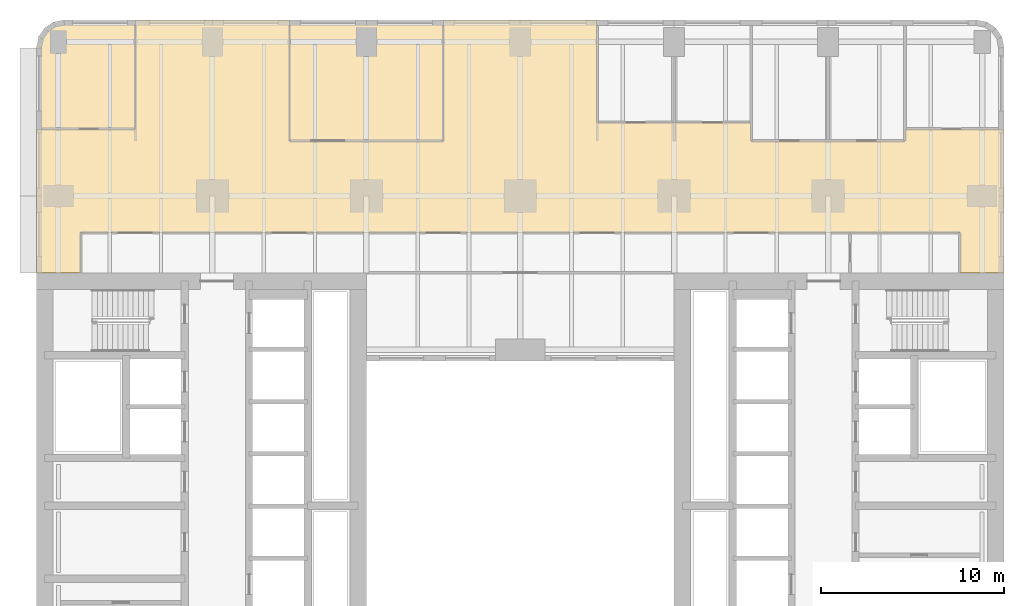
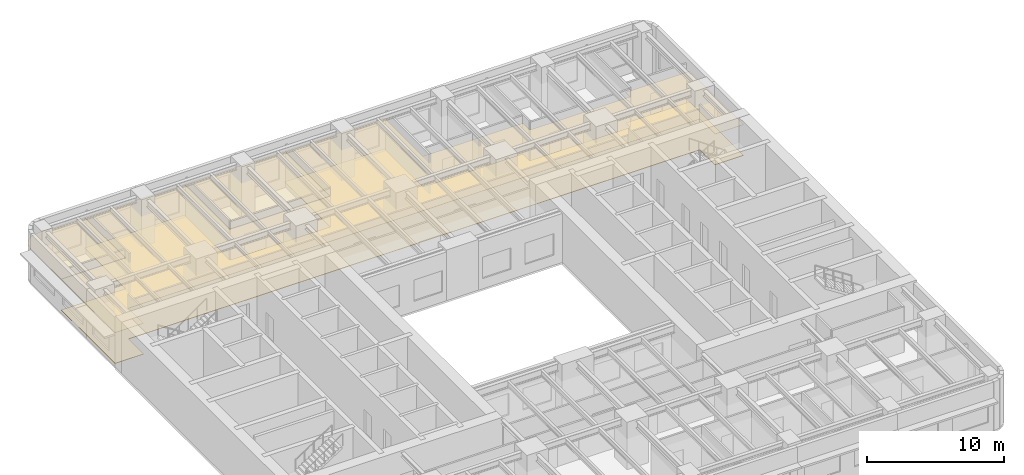
# One storey, part 13 of 14: 4 coverings.
"""IFC4 building model written with IfcOpenShell, lengths in metres."""

from ifc_helpers import new_model, si_unit, direction, frame, origin, place, context, subcontext, project, spatial, polyline, outline, extrude, material, layer, layer_set, type_object, element, save


model = new_model("IFC4")

# Units and contexts
model_context = context("Model", 3, precision=1e-05, world=origin(), true_north=direction((0.0, 1.0)))
body_context = subcontext(model_context, "Body", "Model", "MODEL_VIEW")
ifc_project = project(units=[si_unit("LENGTHUNIT", "METRE"), si_unit("AREAUNIT", "SQUARE_METRE"), si_unit("VOLUMEUNIT", "CUBIC_METRE"), si_unit("PLANEANGLEUNIT", "RADIAN"), si_unit("MASSUNIT", "GRAM", prefix="KILO")], contexts=[model_context])

# Site, building, storey
site_placement = place(None, origin())
site = spatial("IfcSite", under=ifc_project, at=site_placement, CompositionType="ELEMENT")
building_placement = place(site_placement, origin())
building = spatial("IfcBuilding", under=site, at=building_placement, Name="Claustro Exchange Tower", CompositionType="ELEMENT")
storey_placement = place(building_placement, frame((0.0, 0.0, 36.89990234375)))
storey = spatial("IfcBuildingStorey", under=building, at=storey_placement, Name="L08", CompositionType="ELEMENT", Elevation=36.89990234375)

# Coverings
ifc_material_1 = material(Name="Gypsum board ceiling", Category="gypsum board")
ifc_layer_1 = layer(ifc_material_1, 0.02490234375)
ifc_layer_set_1 = layer_set([ifc_layer_1], Name="Gypsum board ceiling")
covering_type_1 = type_object("IfcCoveringType", Name="CL2 plasterboard ceiling", PredefinedType="CEILING", material=ifc_layer_set_1)
covering_1_placement = place(storey_placement, frame((0.0, 0.0, 3.0)))
element("IfcCovering", 1, at=covering_1_placement, inside=storey, type_object=covering_type_1, Name="Ceiling CL2 L08-14", PredefinedType="CEILING", context=body_context, shape_type="SweptSolid", body=[
    extrude(outline(polyline([(-1.199951171875, 45.64990234375), (-1.199951171875, 37.800048828125), (1.199951171875, 37.800048828125), (1.199951171875, 40.0), (43.199951171875, 40.0), (49.199951171875, 40.0), (49.199951171875, 37.800048828125), (51.60009765625, 37.800048828125), (51.60009765625, 45.64990234375), (46.199951171875, 45.64990234375), (46.199951171875, 45.0), (42.0, 45.0), (37.800048828125, 45.0), (37.800048828125, 46.0), (33.60009765625, 46.0), (29.39990234375, 46.0), (29.39990234375, 51.60009765625), (21.0, 51.60009765625), (21.0, 45.0), (12.60009765625, 45.0), (12.60009765625, 51.60009765625), (4.199951171875, 51.60009765625), (4.199951171875, 45.64990234375), (-1.199951171875, 45.64990234375)])), origin(), (0.0, 0.0, 1.0), 0.025146484375),
])
covering_2_placement = place(storey_placement, frame((0.0, 0.0, 3.0)))
element("IfcCovering", 2, at=covering_2_placement, inside=storey, type_object=covering_type_1, Name="Ceiling CL2 L08-15", PredefinedType="CEILING", context=body_context, shape_type="SweptSolid", body=[
    extrude(outline(polyline([(21.0, 51.60009765625), (12.60009765625, 51.60009765625), (12.60009765625, 45.0), (21.0, 45.0), (21.0, 51.60009765625)])), origin(), (0.0, 0.0, 1.0), 0.025146484375),
])
covering_3_placement = place(storey_placement, frame((0.0, 0.0, 3.0)))
element("IfcCovering", 3, at=covering_3_placement, inside=storey, type_object=covering_type_1, Name="Ceiling CL2 L08-18", PredefinedType="CEILING", context=body_context, shape_type="SweptSolid", body=[
    extrude(outline(polyline([(-1.199951171875, 50.10009765625), (-1.199951171875, 45.64990234375), (4.199951171875, 45.64990234375), (4.199951171875, 51.60009765625), (0.300048828125, 51.60009765625), (-0.27392578125, 51.48583984375), (-0.7607421875, 51.16064453125), (-1.085693359375, 50.674072265625), (-1.199951171875, 50.10009765625)])), origin(), (0.0, 0.0, 1.0), 0.025146484375),
])
ifc_material_2 = material(Name="Steel-encased raised floor panels on pedestals", Category="steel")
ifc_layer_2 = layer(ifc_material_2, 0.0400390625)
ifc_layer_set_2 = layer_set([ifc_layer_2], Name="Steel-encased raised floor panels on pedestals")
covering_type_2 = type_object("IfcCoveringType", Name="RF1 300 raised access floor", PredefinedType="FLOORING", material=ifc_layer_set_2)
covering_4_placement = place(storey_placement, frame((0.0, 0.0, 0.260009765625)))
element("IfcCovering", 4, at=covering_4_placement, inside=storey, type_object=covering_type_2, Name="Raised access floor RF1 L08-14", PredefinedType="FLOORING", context=body_context, shape_type="SweptSolid", body=[
    extrude(outline(polyline([(-1.199951171875, 45.64990234375), (-1.199951171875, 37.800048828125), (1.199951171875, 37.800048828125), (1.199951171875, 40.0), (43.199951171875, 40.0), (49.199951171875, 40.0), (49.199951171875, 37.800048828125), (51.60009765625, 37.800048828125), (51.60009765625, 45.64990234375), (46.199951171875, 45.64990234375), (46.199951171875, 45.0), (42.0, 45.0), (37.800048828125, 45.0), (37.800048828125, 46.0), (33.60009765625, 46.0), (29.39990234375, 46.0), (29.39990234375, 51.60009765625), (21.0, 51.60009765625), (21.0, 45.0), (12.60009765625, 45.0), (12.60009765625, 51.60009765625), (4.199951171875, 51.60009765625), (4.199951171875, 45.64990234375), (-1.199951171875, 45.64990234375)])), origin(), (0.0, 0.0, 1.0), 0.0400390625),
])

save(model, "model.ifc")
